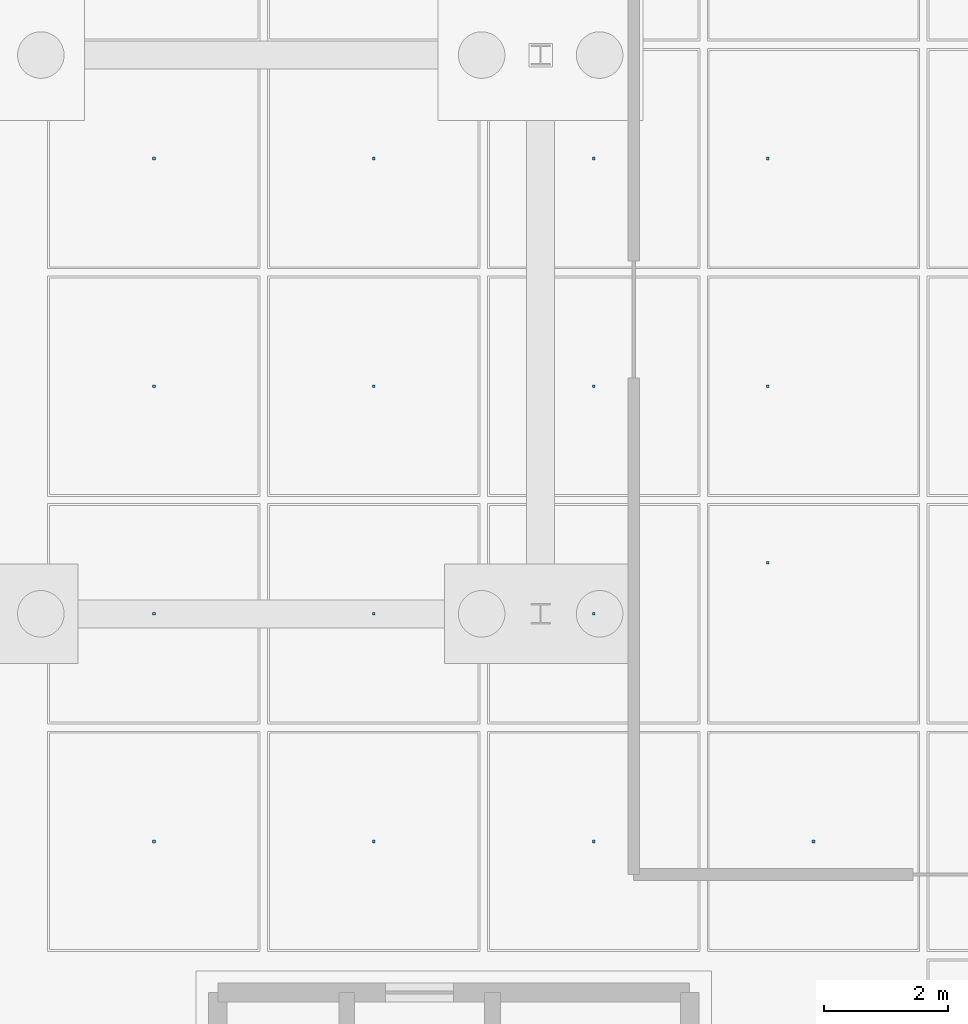
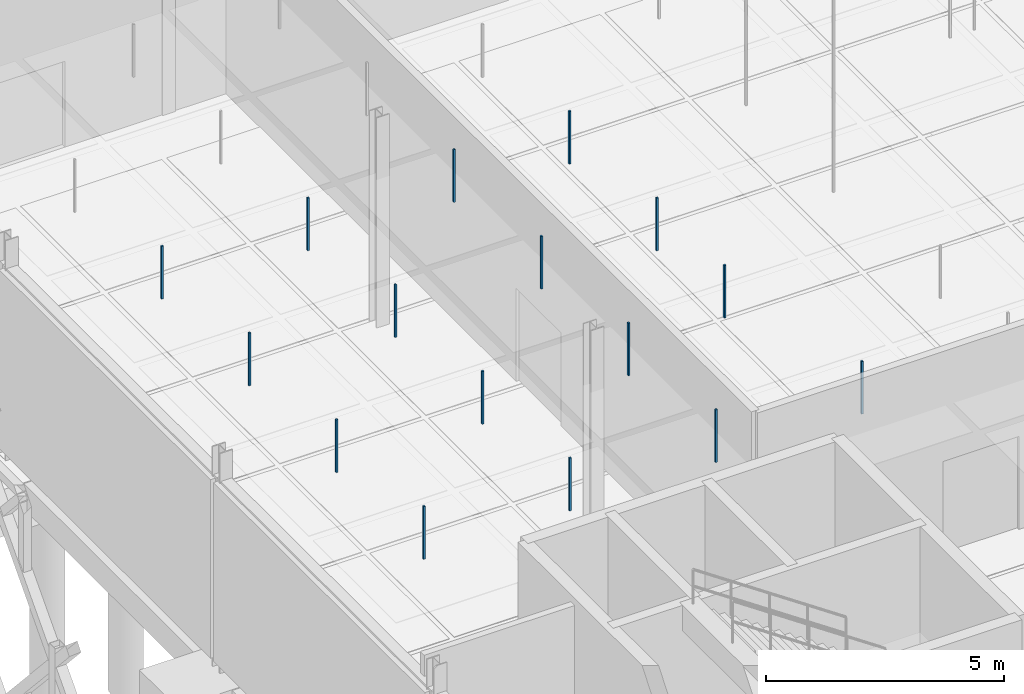
# One storey, part 116 of 180: 16 discrete accessories.
"""IFC4 building model written with IfcOpenShell, lengths in metres."""

from ifc_helpers import new_model, si_unit, direction, frame, origin, origin_2d, place, context, subcontext, project, spatial, rectangle, extrude, material, type_object, element, save


model = new_model("IFC4")

# Units and contexts
model_context = context("Model", 3, precision=1e-05, world=origin(), true_north=direction((0.0, 1.0)))
body_context = subcontext(model_context, "Body", "Model", "MODEL_VIEW")
ifc_project = project(units=[si_unit("LENGTHUNIT", "METRE"), si_unit("AREAUNIT", "SQUARE_METRE"), si_unit("VOLUMEUNIT", "CUBIC_METRE"), si_unit("PLANEANGLEUNIT", "RADIAN"), si_unit("MASSUNIT", "GRAM", prefix="KILO"), si_unit("THERMODYNAMICTEMPERATUREUNIT", "KELVIN"), si_unit("POWERUNIT", "WATT")], contexts=[model_context])

# Site, building, storey
site_placement = place(None, origin())
site = spatial("IfcSite", under=ifc_project, at=site_placement, CompositionType="ELEMENT")
building_placement = place(site_placement, origin())
building = spatial("IfcBuilding", under=site, at=building_placement, Name="Tallowbark Science Centre", CompositionType="ELEMENT")
storey_placement = place(building_placement, origin())
storey = spatial("IfcBuildingStorey", under=building, at=storey_placement, Name="L00", CompositionType="ELEMENT", Elevation=0.0)

# Discrete accessories
ifc_material = material(Name="Galvanised Steel Grade C350L0 (350 MPa)", Category="steel")
discrete_accessory_type = type_object("IfcDiscreteAccessoryType", Name="ACC-CLG-HNG", PredefinedType="BRACKET", material=ifc_material)
for number, where, z_axis, x_axis, name in (
    (1, (115.270751953125, 14.333251953125, 3.8095703125), (0.0, 0.0, 1.0), (1.0, 0.0, 0.0), "Ceiling Hanger Bracket L00-201"),
    (2, (115.270751953125, 18.0, 3.8095703125), (0.0, 0.0, 1.0), (1.0, 0.0, 0.0), "Ceiling Hanger Bracket L00-202"),
    (3, (115.270751953125, 21.666748046875, 3.8095703125), (0.0, 0.0, 1.0), (1.0, 0.0, 0.0), "Ceiling Hanger Bracket L00-203"),
    (4, (115.270751953125, 25.333251953125, 3.8095703125), (0.0, 0.0, 1.0), (1.0, 0.0, 0.0), "Ceiling Hanger Bracket L00-204"),
    (5, (118.8125, 14.333251953125, 3.8095703125), (0.0, 0.0, 1.0), (1.0, 0.0, 0.0), "Ceiling Hanger Bracket L00-207"),
    (6, (118.8125, 18.0, 3.8095703125), (0.0, 0.0, 1.0), (1.0, 0.0, 0.0), "Ceiling Hanger Bracket L00-208"),
    (7, (118.8125, 21.666748046875, 3.8095703125), (0.0, 0.0, 1.0), (1.0, 0.0, 0.0), "Ceiling Hanger Bracket L00-209"),
    (8, (118.8125, 25.333251953125, 3.8095703125), (0.0, 0.0, 1.0), (1.0, 0.0, 0.0), "Ceiling Hanger Bracket L00-210"),
    (9, (122.354248046875, 14.333251953125, 3.8095703125), (0.0, 0.0, 1.0), (1.0, 0.0, 0.0), "Ceiling Hanger Bracket L00-213"),
    (10, (122.354248046875, 18.0, 3.8095703125), (0.0, 0.0, 1.0), (1.0, 0.0, 0.0), "Ceiling Hanger Bracket L00-214"),
    (11, (122.354248046875, 21.666748046875, 3.8095703125), (0.0, 0.0, 1.0), (1.0, 0.0, 0.0), "Ceiling Hanger Bracket L00-215"),
    (12, (122.354248046875, 25.333251953125, 3.8095703125), (0.0, 0.0, 1.0), (1.0, 0.0, 0.0), "Ceiling Hanger Bracket L00-216"),
    (13, (125.895751953125, 14.333251953125, 3.8095703125), (0.0, 0.0, 1.0), (1.0, 0.0, 0.0), "Ceiling Hanger Bracket L00-219"),
    (14, (125.157470703125, 18.82177734375, 3.8095703125), (0.0, 0.0, 1.0), (1.0, 0.0, 0.0), "Ceiling Hanger Bracket L00-220"),
    (15, (125.157470703125, 21.666748046875, 3.8095703125), (0.0, 0.0, 1.0), (1.0, 0.0, 0.0), "Ceiling Hanger Bracket L00-221"),
    (16, (125.157470703125, 25.333251953125, 3.8095703125), (0.0, 0.0, 1.0), (1.0, 0.0, 0.0), "Ceiling Hanger Bracket L00-222"),
):
    element("IfcDiscreteAccessory", number, at=place(storey_placement, frame(where, z_axis=z_axis, x_axis=x_axis)), inside=storey, type_object=discrete_accessory_type, Name=name, PredefinedType="BRACKET", context=body_context, shape_type="SweptSolid", body=[
        extrude(rectangle(XDim=0.044921875, YDim=0.044921875, at=origin_2d()), origin(), (0.0, 0.0, 1.0), 1.353515625),
    ])

save(model, "model.ifc")
